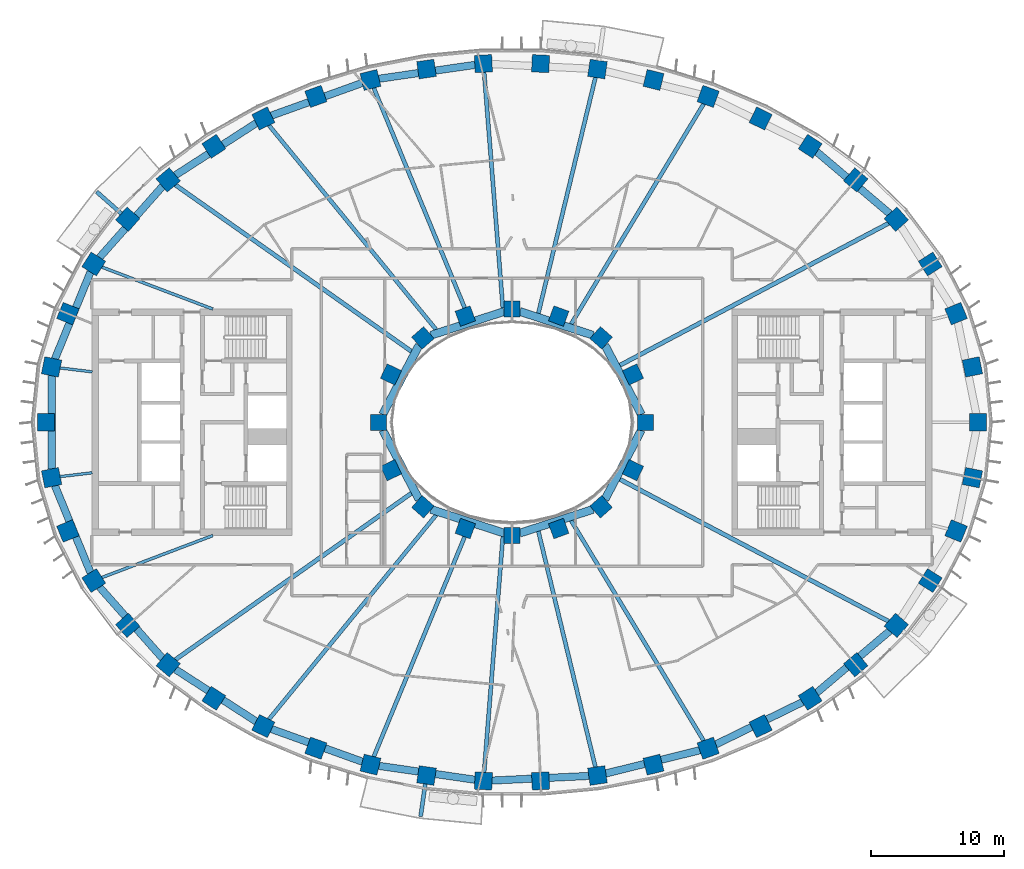
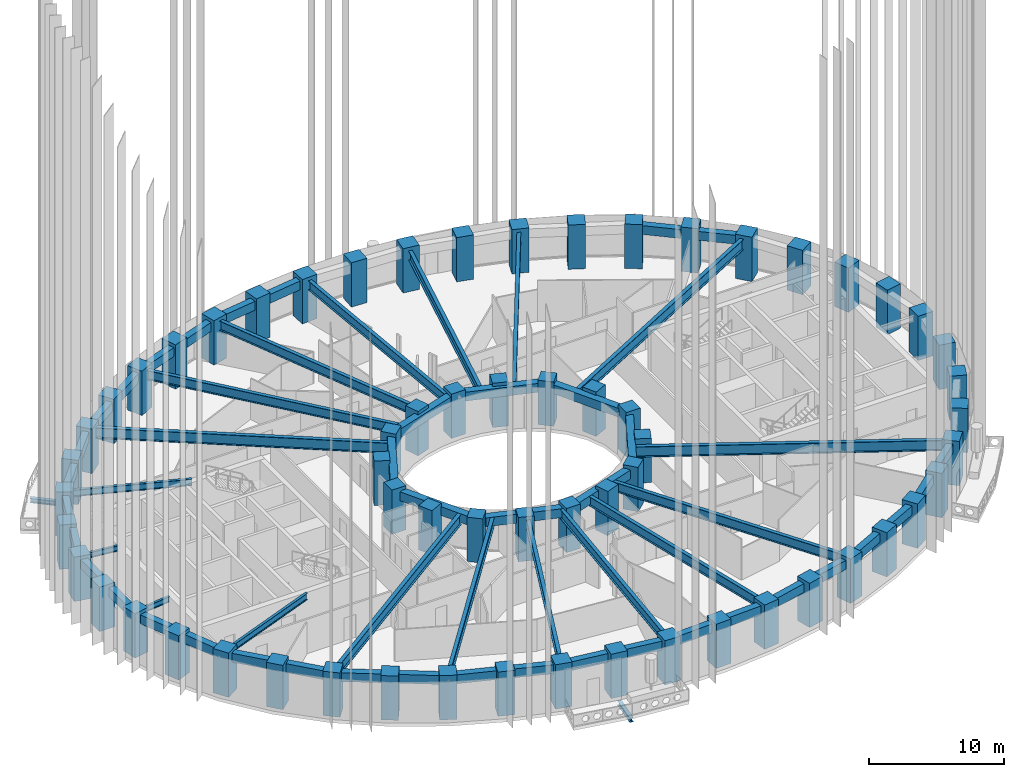
# One storey, part 1 of 20: 62 columns, 44 beams.
"""IFC4 building model written with IfcOpenShell, lengths in metres."""

import ifcopenshell
import ifcopenshell.guid

model = None  # the IFC model being written
_history = None  # IfcOwnerHistory: only IFC2X3 demands one
_inside = {}  # id of a spatial element -> (the spatial element, [elements in it])
_under = {}  # id of a project, library or spatial element -> (it, [spatial elements below it])
_declared = {}  # id of a project -> (the project, [libraries it declares])
_typed = {}  # id of a type object -> (the type object, [elements of that type])
_made_of = {}  # id of a material, layer set ... -> (it, [elements and type objects made of it])


def new_model(schema):
    """Start an empty IFC model of exactly this schema.

    Asked for "IFC4X3", IfcOpenShell would pick the latest addendum, in which some entities
    have other attributes; the version numbers below select the first issue.
    IFC2X3 requires an IfcOwnerHistory on every rooted entity: one is made here for all.
    """
    global model, _history
    if schema == "IFC4X3":
        model = ifcopenshell.file(schema_version=(4, 3, 0, 0))
    else:
        model = ifcopenshell.file(schema=schema)
    _inside.clear()
    _under.clear()
    _declared.clear()
    _typed.clear()
    _made_of.clear()
    _history = None
    if model.schema == "IFC2X3":
        org = make("IfcOrganization", Name="unknown")
        user = make(
            "IfcPersonAndOrganization",
            ThePerson=make("IfcPerson", FamilyName="unknown"),
            TheOrganization=org,
        )
        app = make(
            "IfcApplication",
            ApplicationDeveloper=org,
            Version="unknown",
            ApplicationFullName="unknown",
            ApplicationIdentifier="unknown",
        )
        _history = make(
            "IfcOwnerHistory",
            OwningUser=user,
            OwningApplication=app,
            ChangeAction="ADDED",
            CreationDate=0,
        )
    return model


def make(cls, **values):
    """One entity of the class cls with the attributes given. An attribute that is None is left unset."""
    return model.create_entity(
        cls, **{name: value for name, value in values.items() if value is not None}
    )


def rooted(cls, **values):
    """An entity with a GlobalId (a new one), such as an element, a storey or a relation."""
    return make(cls, GlobalId=ifcopenshell.guid.new(), OwnerHistory=_history, **values)


def si_unit(unit_type, name, prefix=None):
    """IfcSIUnit, for example si_unit("LENGTHUNIT", "METRE", prefix="MILLI")."""
    return make("IfcSIUnit", UnitType=unit_type, Prefix=prefix, Name=name)


def assignment(units):
    """IfcUnitAssignment: the units of a project."""
    return None if units is None else make("IfcUnitAssignment", Units=units)


def point(xyz):
    """IfcCartesianPoint."""
    return None if xyz is None else make("IfcCartesianPoint", Coordinates=xyz)


def direction(xyz):
    """IfcDirection."""
    return None if xyz is None else make("IfcDirection", DirectionRatios=xyz)


def frame(location, z_axis=None, x_axis=None):
    """IfcAxis2Placement3D, a coordinate frame: its origin and axes. An axis left out is left unset."""
    return make(
        "IfcAxis2Placement3D",
        Location=point(location),
        Axis=direction(z_axis),
        RefDirection=direction(x_axis),
    )


def frame_2d(location, x_axis=None):
    """IfcAxis2Placement2D, a coordinate frame in the plane: its origin and x axis."""
    return make(
        "IfcAxis2Placement2D", Location=point(location), RefDirection=direction(x_axis)
    )


def origin():
    """The frame at (0, 0, 0) with its axes left unset."""
    return frame((0.0, 0.0, 0.0))


def origin_2d():
    """The frame at (0, 0) in the plane with its x axis left unset."""
    return frame_2d((0.0, 0.0))


def place(relative_to, where):
    """IfcLocalPlacement: puts the frame where relative to a parent placement (None: the world)."""
    return make(
        "IfcLocalPlacement", PlacementRelTo=relative_to, RelativePlacement=where
    )


def context(
    kind, dimensions, precision=None, world=None, true_north=None, identifier=None
):
    """IfcGeometricRepresentationContext, for example the 3D "Model" context."""
    return make(
        "IfcGeometricRepresentationContext",
        ContextIdentifier=identifier,
        ContextType=kind,
        CoordinateSpaceDimension=dimensions,
        Precision=precision,
        WorldCoordinateSystem=world,
        TrueNorth=true_north,
    )


def subcontext(parent, identifier, kind, view, scale=None):
    """IfcGeometricRepresentationSubContext, for example "Body" below "Model"."""
    return make(
        "IfcGeometricRepresentationSubContext",
        ContextIdentifier=identifier,
        ContextType=kind,
        ParentContext=parent,
        TargetScale=scale,
        TargetView=view,
    )


def project(units=None, contexts=None):
    """IfcProject with its units and contexts."""
    return rooted(
        "IfcProject",
        Name="project",
        RepresentationContexts=contexts,
        UnitsInContext=assignment(units),
    )


def spatial(cls, under=None, at=None, **own):
    """A site, building, storey or space (cls), placed at a placement, below another one or the project."""
    s = rooted(cls, ObjectPlacement=at, **own)
    if under is not None:
        _under.setdefault(under.id(), (under, []))[1].append(s)
    return s


def profile(cls, at=None, kind="AREA", **sizes):
    """A parametric profile (cls). Its sizes go by their IFC names, for example OverallWidth=200.0."""
    return make(cls, ProfileType=kind, Position=at, **sizes)


def rectangle(**sizes):
    """IfcRectangleProfileDef."""
    return profile("IfcRectangleProfileDef", **sizes)


def i_section(**sizes):
    """IfcIShapeProfileDef."""
    return profile("IfcIShapeProfileDef", **sizes)


def extrude(swept, where, along, depth):
    """IfcExtrudedAreaSolid: the profile swept, set in the frame where, extruded along a direction by depth."""
    return make(
        "IfcExtrudedAreaSolid",
        SweptArea=swept,
        Position=where,
        ExtrudedDirection=direction(along),
        Depth=depth,
    )


def shape(context_of_items, identifier, shape_type, items):
    """IfcShapeRepresentation: the items that make up one representation, for example the "Body"."""
    return make(
        "IfcShapeRepresentation",
        ContextOfItems=context_of_items,
        RepresentationIdentifier=identifier,
        RepresentationType=shape_type,
        Items=items,
    )


def material(Name=None, Category=None):
    """IfcMaterial."""
    return make("IfcMaterial", Name=Name, Category=Category)


def material_profile(
    of_material, cross_section, Name=None, Category=None, Priority=None
):
    """IfcMaterialProfile: a cross section and its material."""
    return make(
        "IfcMaterialProfile",
        Name=Name,
        Material=of_material,
        Profile=cross_section,
        Priority=Priority,
        Category=Category,
    )


def profile_set(profiles, Name=None, composite=None):
    """IfcMaterialProfileSet."""
    return make(
        "IfcMaterialProfileSet",
        Name=Name,
        MaterialProfiles=profiles,
        CompositeProfile=composite,
    )


def made_of(thing, what):
    """Note that an element or type object is made of a material, layer set ...; save() writes the relation."""
    if what is not None:
        _made_of.setdefault(what.id(), (what, []))[1].append(thing)
    return thing


def type_object(cls, material=None, **own):
    """A type object (cls), such as IfcWallType, which elements share."""
    return made_of(rooted(cls, **own), material)


def element(
    cls,
    number,
    at=None,
    inside=None,
    cuts=None,
    type_object=None,
    material=None,
    context=None,
    identifier="Body",
    shape_type=None,
    held_by="IfcProductDefinitionShape",
    body=None,
    shapes=None,
    **own,
):
    """One element of the class cls, such as IfcWall. Its Tag is "e" and its number.

    at: its placement. inside: the storey or other place that contains it. cuts: it is an
    opening in that element (IfcRelVoidsElement). A single representation is given by context,
    identifier, shape_type and body (its items); several are given by shapes. held_by: the class
    of the entity that holds the representations. save() writes the other relations.
    """
    e = rooted(cls, Tag="e%d" % number, ObjectPlacement=at, **own)
    if body is not None:
        shapes = [shape(context, identifier, shape_type, body)]
    if shapes is not None:
        e.Representation = make(held_by, Representations=shapes)
    if inside is not None:
        _inside.setdefault(inside.id(), (inside, []))[1].append(e)
    if cuts is not None:
        rooted(
            "IfcRelVoidsElement", RelatingBuildingElement=cuts, RelatedOpeningElement=e
        )
    if type_object is not None:
        _typed.setdefault(type_object.id(), (type_object, []))[1].append(e)
    return made_of(e, material)


def aggregate(whole, parts):
    """IfcRelAggregates: a whole, such as a stair, and the parts it consists of."""
    return rooted("IfcRelAggregates", RelatingObject=whole, RelatedObjects=parts)


def save(model, path):
    """Write the relations noted so far, then the file.

    IfcRelAggregates (storeys below a building ...), IfcRelContainedInSpatialStructure (elements
    in a storey), IfcRelDefinesByType, IfcRelAssociatesMaterial and IfcRelDeclares: one each for
    every whole, place, type object, material and project.
    """
    for whole, parts in _under.values():
        aggregate(whole, parts)
    for where, things in _inside.values():
        rooted(
            "IfcRelContainedInSpatialStructure",
            RelatedElements=things,
            RelatingStructure=where,
        )
    for kind, things in _typed.values():
        rooted("IfcRelDefinesByType", RelatedObjects=things, RelatingType=kind)
    for what, things in _made_of.values():
        rooted("IfcRelAssociatesMaterial", RelatedObjects=things, RelatingMaterial=what)
    for by, libraries in _declared.values():
        rooted("IfcRelDeclares", RelatingContext=by, RelatedDefinitions=libraries)
    model.write(path)


model = new_model("IFC4")

# Units and contexts
model_context = context("Model", 3, precision=1e-05, world=origin(), true_north=direction((0.0, 1.0)))
body_context = subcontext(model_context, "Body", "Model", "MODEL_VIEW")
ifc_project = project(units=[si_unit("LENGTHUNIT", "METRE"), si_unit("AREAUNIT", "SQUARE_METRE"), si_unit("VOLUMEUNIT", "CUBIC_METRE"), si_unit("PLANEANGLEUNIT", "RADIAN"), si_unit("MASSUNIT", "GRAM", prefix="KILO")], contexts=[model_context])

# Site, building, storey
site_placement = place(None, origin())
site = spatial("IfcSite", under=ifc_project, at=site_placement, CompositionType="ELEMENT")
building_placement = place(site_placement, origin())
building = spatial("IfcBuilding", under=site, at=building_placement, Name="Noorbagh Ring Tower", CompositionType="ELEMENT")
storey_placement = place(building_placement, frame((0.0, 0.0, 88.0)))
storey = spatial("IfcBuildingStorey", under=building, at=storey_placement, Name="L19", CompositionType="ELEMENT", Elevation=88.0)

# Columns
ifc_material_1 = material(Name="Concrete C60/75", Category="concrete")
ifc_material_profile_1 = material_profile(ifc_material_1, rectangle(XDim=1.300048828125, YDim=1.300048828125, at=origin_2d()), Name="RC1300x1300")
ifc_profile_set_1 = profile_set([ifc_material_profile_1], Name="Concrete C60/75")
column_type_1 = type_object("IfcColumnType", Name="STR-COL-RC1300x1300-C60-75", PredefinedType="COLUMN", material=ifc_profile_set_1)
for number, where, z_axis, x_axis, name in (
    (1, (34.944580078125, 0.0, 0.0), (0.0, 0.0, 1.0), (0.0, 1.0, 0.0), "L19/col/R1-01"),
    (2, (34.52685546875, 4.150634765625, 0.0), (0.0, 0.0, 1.0), (-0.19723040178, 0.9803571638, 0.0), "L19/col/R1-02"),
    (3, (33.30517578125, 8.1494140625, 0.0), (0.0, 0.0, 1.0), (-0.378989499959, 0.925400971969, 0.0), "L19/col/R1-03"),
    (4, (31.364990234375, 11.87109375, 0.0), (0.0, 0.0, 1.0), (-0.535190403059, 0.844731455833, 0.0), "L19/col/R1-04"),
    (5, (28.81884765625, 15.23046875, 0.0), (0.0, 0.0, 1.0), (-0.662635642662, 0.748941923699, 0.0), "L19/col/R1-05"),
    (6, (25.78271484375, 18.180419921875, 0.0), (0.0, 0.0, 1.0), (-0.763035199656, 0.646356932419, 0.0), "L19/col/R1-06"),
    (7, (22.362060546875, 20.699951171875, 0.0), (0.0, 0.0, 1.0), (-0.840247639643, 0.542202825586, 0.0), "L19/col/R1-07"),
    (8, (18.646240234375, 22.785400390625, 0.0), (0.0, 0.0, 1.0), (-0.898399080868, 0.439180021741, 0.0), "L19/col/R1-08"),
    (9, (14.70947265625, 24.44091796875, 0.0), (0.0, 0.0, 1.0), (-0.941024726094, 0.338337797003, 0.0), "L19/col/R1-09"),
    (10, (10.61328125, 25.673583984375, 0.0), (0.0, 0.0, 1.0), (-0.970829360981, 0.239771457553, 0.0), "L19/col/R1-10"),
    (11, (6.4091796875, 26.49072265625, 0.0), (0.0, 0.0, 1.0), (-0.989713114048, 0.143066249975, 0.0), "L19/col/R1-11"),
    (12, (2.14306640625, 26.89794921875, 0.0), (0.0, 0.0, 1.0), (-0.998868731212, 0.047552684538, 0.0), "L19/col/R1-12"),
    (13, (-2.14306640625, 26.89794921875, 0.0), (0.0, 0.0, 1.0), (-0.998868731212, -0.047552684538, 0.0), "L19/col/R1-13"),
    (14, (-6.4091796875, 26.49072265625, 0.0), (0.0, 0.0, 1.0), (-0.989713114048, -0.143066249975, 0.0), "L19/col/R1-14"),
    (15, (-10.61328125, 25.673583984375, 0.0), (0.0, 0.0, 1.0), (-0.970829360981, -0.239771457553, 0.0), "L19/col/R1-15"),
    (16, (-14.70947265625, 24.44091796875, 0.0), (0.0, 0.0, 1.0), (-0.941024726094, -0.338337797003, 0.0), "L19/col/R1-16"),
    (17, (-18.646240234375, 22.785400390625, 0.0), (0.0, 0.0, 1.0), (-0.898399080868, -0.439180021741, 0.0), "L19/col/R1-17"),
    (18, (-22.362060546875, 20.699951171875, 0.0), (0.0, 0.0, 1.0), (-0.840247639643, -0.542202825586, 0.0), "L19/col/R1-18"),
    (19, (-25.78271484375, 18.180419921875, 0.0), (0.0, 0.0, 1.0), (-0.763035199656, -0.646356932419, 0.0), "L19/col/R1-19"),
    (20, (-28.81884765625, 15.23046875, 0.0), (0.0, 0.0, 1.0), (-0.662635642662, -0.748941923699, 0.0), "L19/col/R1-20"),
    (21, (-31.364990234375, 11.87109375, 0.0), (0.0, 0.0, 1.0), (-0.535190403059, -0.844731455833, 0.0), "L19/col/R1-21"),
    (22, (-33.30517578125, 8.1494140625, 0.0), (0.0, 0.0, 1.0), (-0.378989499959, -0.925400971969, 0.0), "L19/col/R1-22"),
    (23, (-34.52685546875, 4.150634765625, 0.0), (0.0, 0.0, 1.0), (-0.19723040178, -0.9803571638, 0.0), "L19/col/R1-23"),
    (24, (-34.944580078125, 0.0, 0.0), (0.0, 0.0, 1.0), (0.0, -1.0, 0.0), "L19/col/R1-24"),
    (25, (-34.52685546875, -4.150634765625, 0.0), (0.0, 0.0, 1.0), (0.19723040178, -0.9803571638, 0.0), "L19/col/R1-25"),
    (26, (-33.30517578125, -8.1494140625, 0.0), (0.0, 0.0, 1.0), (0.378989499959, -0.925400971969, 0.0), "L19/col/R1-26"),
    (27, (-31.364990234375, -11.87109375, 0.0), (0.0, 0.0, 1.0), (0.535190403059, -0.844731455833, 0.0), "L19/col/R1-27"),
    (28, (-28.81884765625, -15.23046875, 0.0), (0.0, 0.0, 1.0), (0.662635642662, -0.748941923699, 0.0), "L19/col/R1-28"),
    (29, (-25.78271484375, -18.180419921875, 0.0), (0.0, 0.0, 1.0), (0.763035199656, -0.646356932419, 0.0), "L19/col/R1-29"),
    (30, (-22.362060546875, -20.699951171875, 0.0), (0.0, 0.0, 1.0), (0.840247639643, -0.542202825586, 0.0), "L19/col/R1-30"),
    (31, (-18.646240234375, -22.785400390625, 0.0), (0.0, 0.0, 1.0), (0.898399080868, -0.439180021741, 0.0), "L19/col/R1-31"),
    (32, (-14.70947265625, -24.44091796875, 0.0), (0.0, 0.0, 1.0), (0.941024726094, -0.338337797003, 0.0), "L19/col/R1-32"),
    (33, (-10.61328125, -25.673583984375, 0.0), (0.0, 0.0, 1.0), (0.970829360981, -0.239771457553, 0.0), "L19/col/R1-33"),
    (34, (-6.4091796875, -26.49072265625, 0.0), (0.0, 0.0, 1.0), (0.989713114048, -0.143066249975, 0.0), "L19/col/R1-34"),
    (35, (-2.14306640625, -26.89794921875, 0.0), (0.0, 0.0, 1.0), (0.998868731212, -0.047552684538, 0.0), "L19/col/R1-35"),
    (36, (2.14306640625, -26.89794921875, 0.0), (0.0, 0.0, 1.0), (0.998868731212, 0.047552684538, 0.0), "L19/col/R1-36"),
    (37, (6.4091796875, -26.49072265625, 0.0), (0.0, 0.0, 1.0), (0.989713114048, 0.143066249975, 0.0), "L19/col/R1-37"),
    (38, (10.61328125, -25.673583984375, 0.0), (0.0, 0.0, 1.0), (0.970829360981, 0.239771457553, 0.0), "L19/col/R1-38"),
    (39, (14.70947265625, -24.44091796875, 0.0), (0.0, 0.0, 1.0), (0.941024726094, 0.338337797003, 0.0), "L19/col/R1-39"),
    (40, (18.646240234375, -22.785400390625, 0.0), (0.0, 0.0, 1.0), (0.898399080868, 0.439180021741, 0.0), "L19/col/R1-40"),
    (41, (22.362060546875, -20.699951171875, 0.0), (0.0, 0.0, 1.0), (0.840247639643, 0.542202825586, 0.0), "L19/col/R1-41"),
    (42, (25.78271484375, -18.180419921875, 0.0), (0.0, 0.0, 1.0), (0.763035199656, 0.646356932419, 0.0), "L19/col/R1-42"),
    (43, (28.81884765625, -15.23046875, 0.0), (0.0, 0.0, 1.0), (0.662635642662, 0.748941923699, 0.0), "L19/col/R1-43"),
    (44, (31.364990234375, -11.87109375, 0.0), (0.0, 0.0, 1.0), (0.535190403059, 0.844731455833, 0.0), "L19/col/R1-44"),
    (45, (33.30517578125, -8.1494140625, 0.0), (0.0, 0.0, 1.0), (0.378989499959, 0.925400971969, 0.0), "L19/col/R1-45"),
    (46, (34.52685546875, -4.150634765625, 0.0), (0.0, 0.0, 1.0), (0.19723040178, 0.9803571638, 0.0), "L19/col/R1-46"),
):
    element("IfcColumn", number, at=place(storey_placement, frame(where, z_axis=z_axis, x_axis=x_axis)), inside=storey, type_object=column_type_1, Name=name, PredefinedType="COLUMN", context=body_context, shape_type="SweptSolid", body=[
        extrude(rectangle(XDim=1.300048828125, YDim=1.300048828125, at=origin_2d()), origin(), (0.0, 0.0, 1.0), 4.0),
    ])
ifc_material_2 = material(Name="Concrete C60/75", Category="concrete")
ifc_material_profile_2 = material_profile(ifc_material_2, rectangle(XDim=1.199951171875, YDim=1.199951171875, at=origin_2d()), Name="RC1200x1200")
ifc_profile_set_2 = profile_set([ifc_material_profile_2], Name="Concrete C60/75")
column_type_2 = type_object("IfcColumnType", Name="STR-ICOL-RC1200x1200-C60-75", PredefinedType="COLUMN", material=ifc_profile_set_2)
for number, where, z_axis, x_axis, name in (
    (47, (10.00830078125, 0.0, 0.0), (0.0, 0.0, 1.0), (0.0, 1.0, 0.0), "L19/col/IR2-W01"),
    (48, (9.07568359375, 3.58837890625, 0.0), (0.0, 0.0, 1.0), (-0.428666979171, 0.903462573087, 0.0), "L19/col/IR2-W03"),
    (49, (6.68212890625, 6.333740234375, 0.0), (0.0, 0.0, 1.0), (-0.75102249095, 0.660276622399, 0.0), "L19/col/IR2-W05"),
    (50, (3.5009765625, 7.967041015625, 0.0), (0.0, 0.0, 1.0), (-0.939019578916, 0.343863679984, 0.0), "L19/col/IR2-W07"),
    (51, (0.0, 8.5029296875, 0.0), (0.0, 0.0, 1.0), (-1.0, 0.0, 0.0), "L19/col/IR2-W09"),
    (52, (-3.5009765625, 7.967041015625, 0.0), (0.0, 0.0, 1.0), (-0.939019578916, -0.343863679984, 0.0), "L19/col/IR2-W11"),
    (53, (-6.68212890625, 6.333740234375, 0.0), (0.0, 0.0, 1.0), (-0.75102249095, -0.660276622399, 0.0), "L19/col/IR2-W13"),
    (54, (-9.07568359375, 3.58837890625, 0.0), (0.0, 0.0, 1.0), (-0.428666979171, -0.903462573087, 0.0), "L19/col/IR2-W15"),
    (55, (-10.00830078125, 0.0, 0.0), (0.0, 0.0, 1.0), (0.0, -1.0, 0.0), "L19/col/IR2-W17"),
    (56, (-9.07568359375, -3.58837890625, 0.0), (0.0, 0.0, 1.0), (0.428666979171, -0.903462573087, 0.0), "L19/col/IR2-W19"),
    (57, (-6.68212890625, -6.333740234375, 0.0), (0.0, 0.0, 1.0), (0.75102249095, -0.660276622399, 0.0), "L19/col/IR2-W21"),
    (58, (-3.5009765625, -7.967041015625, 0.0), (0.0, 0.0, 1.0), (0.939019578916, -0.343863679984, 0.0), "L19/col/IR2-W23"),
    (59, (0.0, -8.5029296875, 0.0), (0.0, 0.0, 1.0), (1.0, 0.0, 0.0), "L19/col/IR2-W25"),
    (60, (3.5009765625, -7.967041015625, 0.0), (0.0, 0.0, 1.0), (0.939019578916, 0.343863679984, 0.0), "L19/col/IR2-W27"),
    (61, (6.68212890625, -6.333740234375, 0.0), (0.0, 0.0, 1.0), (0.75102249095, 0.660276622399, 0.0), "L19/col/IR2-W29"),
    (62, (9.07568359375, -3.58837890625, 0.0), (0.0, 0.0, 1.0), (0.428666979171, 0.903462573087, 0.0), "L19/col/IR2-W31"),
):
    element("IfcColumn", number, at=place(storey_placement, frame(where, z_axis=z_axis, x_axis=x_axis)), inside=storey, type_object=column_type_2, Name=name, PredefinedType="COLUMN", context=body_context, shape_type="SweptSolid", body=[
        extrude(rectangle(XDim=1.199951171875, YDim=1.199951171875, at=origin_2d()), origin(), (0.0, 0.0, 1.0), 4.0),
    ])

# Beams
ifc_material_3 = material(Name="Steel S355", Category="steel")
ifc_material_profile_3 = material_profile(ifc_material_3, i_section(OverallWidth=0.300048828125, OverallDepth=0.39990234375, WebThickness=0.013427734375, FlangeThickness=0.02392578125, FilletRadius=0.027099609375, at=origin_2d()), Name="HEB400")
ifc_profile_set_3 = profile_set([ifc_material_profile_3], Name="Steel S355")
beam_type_1 = type_object("IfcBeamType", Name="STR-BALCONY-BRACKET-HEB400", PredefinedType="BEAM", material=ifc_profile_set_3)
beam_1_placement = place(storey_placement, frame((-29.290771484375, 15.64794921875, -0.5), z_axis=(-0.749058582827, 0.662503765645, 0.0), x_axis=(-0.662503765645, -0.749058582827, 0.0)))
element("IfcBeam", 63, at=beam_1_placement, inside=storey, type_object=beam_type_1, Name="Balcony bracket beam BN06", PredefinedType="BEAM", context=body_context, shape_type="SweptSolid", body=[
    extrude(i_section(OverallWidth=0.300048828125, OverallDepth=0.39990234375, WebThickness=0.013427734375, FlangeThickness=0.02392578125, FilletRadius=0.027099609375, at=origin_2d()), origin(), (0.0, 0.0, 1.0), 2.479248046875),
])
beam_2_placement = place(storey_placement, frame((-6.49951171875, -27.1142578125, -0.5), z_axis=(-0.14299620794, -0.989723236322, 0.0), x_axis=(0.989723236322, -0.14299620794, 0.0)))
element("IfcBeam", 64, at=beam_2_placement, inside=storey, type_object=beam_type_1, Name="Balcony bracket beam BS03", PredefinedType="BEAM", context=body_context, shape_type="SweptSolid", body=[
    extrude(i_section(OverallWidth=0.300048828125, OverallDepth=0.39990234375, WebThickness=0.013427734375, FlangeThickness=0.02392578125, FilletRadius=0.027099609375, at=origin_2d()), origin(), (0.0, 0.0, 1.0), 2.473876953125),
])
ifc_material_4 = material(Name="Steel S355", Category="steel")
ifc_material_profile_4 = material_profile(ifc_material_4, i_section(OverallWidth=0.199951171875, OverallDepth=0.5, WebThickness=0.01025390625, FlangeThickness=0.01611328125, FilletRadius=0.02099609375, at=origin_2d()), Name="IPE500")
ifc_profile_set_4 = profile_set([ifc_material_profile_4], Name="Steel S355")
beam_type_2 = type_object("IfcBeamType", Name="STR-RAD-IPE500", PredefinedType="BEAM", material=ifc_profile_set_4)
for number, where, z_axis, x_axis, name in (
    (65, (-33.899169921875, 4.0751953125, 3.449951171875), (0.992852635549, -0.119346738892, 0.0), (0.119346738892, 0.992852635549, 0.0), "L19/bm/RD23"),
    (66, (-33.899169921875, -4.0751953125, 3.449951171875), (0.992852635549, 0.119346738892, 0.0), (-0.119346738892, 0.992852635549, 0.0), "L19/bm/RD25"),
):
    element("IfcBeam", number, at=place(storey_placement, frame(where, z_axis=z_axis, x_axis=x_axis)), inside=storey, type_object=beam_type_2, Name=name, PredefinedType="BEAM", context=body_context, shape_type="SweptSolid", body=[
        extrude(i_section(OverallWidth=0.199951171875, OverallDepth=0.5, WebThickness=0.01025390625, FlangeThickness=0.01611328125, FilletRadius=0.02099609375, at=origin_2d()), origin(), (0.0, 0.0, 1.0), 2.436279296875),
    ])
ifc_material_5 = material(Name="Steel S355", Category="steel")
ifc_material_profile_5 = material_profile(ifc_material_5, i_section(OverallWidth=0.219970703125, OverallDepth=0.60009765625, WebThickness=0.011962890625, FlangeThickness=0.01904296875, FilletRadius=0.02392578125, at=origin_2d()), Name="IPE600")
ifc_profile_set_5 = profile_set([ifc_material_profile_5], Name="Steel S355")
beam_type_3 = type_object("IfcBeamType", Name="STR-RAD-IPE600", PredefinedType="BEAM", material=ifc_profile_set_5)
for number, where, z_axis, x_axis, name in (
    (67, (-30.762939453125, 11.64306640625, 3.39990234375), (0.935256068659, -0.353971871815, 0.0), (0.353971871815, 0.935256068659, 0.0), "L19/bm/RD21"),
    (68, (-30.762939453125, -11.64306640625, 3.39990234375), (0.935256068659, 0.353971871815, 0.0), (-0.353971871815, 0.935256068659, 0.0), "L19/bm/RD27"),
):
    element("IfcBeam", number, at=place(storey_placement, frame(where, z_axis=z_axis, x_axis=x_axis)), inside=storey, type_object=beam_type_3, Name=name, PredefinedType="BEAM", context=body_context, shape_type="SweptSolid", body=[
        extrude(i_section(OverallWidth=0.219970703125, OverallDepth=0.60009765625, WebThickness=0.011962890625, FlangeThickness=0.01904296875, FilletRadius=0.02392578125, at=origin_2d()), origin(), (0.0, 0.0, 1.0), 8.8994140625),
    ])
ifc_material_6 = material(Name="Steel S355", Category="steel")
ifc_material_profile_6 = material_profile(ifc_material_6, i_section(OverallWidth=0.300048828125, OverallDepth=0.85009765625, WebThickness=0.013916015625, FlangeThickness=0.028076171875, at=origin_2d()), Name="PG850x300x14x28")
ifc_profile_set_6 = profile_set([ifc_material_profile_6], Name="Steel S355")
beam_type_4 = type_object("IfcBeamType", Name="STR-RAD-PG850x300x14x28", PredefinedType="BEAM", material=ifc_profile_set_6)
beam_3_placement = place(storey_placement, frame((14.378173828125, 23.89013671875, 3.27490234375), z_axis=(-0.515660214946, -0.85679317383, 0.0), x_axis=(0.85679317383, -0.515660214946, 0.0)))
element("IfcBeam", 69, at=beam_3_placement, inside=storey, type_object=beam_type_4, Name="L19/bm/RD09", PredefinedType="BEAM", context=body_context, shape_type="SweptSolid", body=[
    extrude(i_section(OverallWidth=0.300048828125, OverallDepth=0.85009765625, WebThickness=0.013916015625, FlangeThickness=0.028076171875, at=origin_2d()), origin(), (0.0, 0.0, 1.0), 19.293212890625),
])
beam_4_placement = place(storey_placement, frame((6.260498046875, 25.875732421875, 3.27490234375), z_axis=(-0.235164579981, -0.971955564994, 0.0), x_axis=(0.971955564994, -0.235164579981, 0.0)))
element("IfcBeam", 70, at=beam_4_placement, inside=storey, type_object=beam_type_4, Name="L19/bm/RD11", PredefinedType="BEAM", context=body_context, shape_type="SweptSolid", body=[
    extrude(i_section(OverallWidth=0.300048828125, OverallDepth=0.85009765625, WebThickness=0.013916015625, FlangeThickness=0.028076171875, at=origin_2d()), origin(), (0.0, 0.0, 1.0), 18.230224609375),
])
beam_5_placement = place(storey_placement, frame((-2.093017578125, 26.26953125, 3.27490234375), z_axis=(0.079419392273, -0.996841291345, 0.0), x_axis=(0.996841291345, 0.079419392273, 0.0)))
element("IfcBeam", 71, at=beam_5_placement, inside=storey, type_object=beam_type_4, Name="L19/bm/RD13", PredefinedType="BEAM", context=body_context, shape_type="SweptSolid", body=[
    extrude(i_section(OverallWidth=0.300048828125, OverallDepth=0.85009765625, WebThickness=0.013916015625, FlangeThickness=0.028076171875, at=origin_2d()), origin(), (0.0, 0.0, 1.0), 17.749755859375),
])
beam_6_placement = place(storey_placement, frame((-10.36962890625, 25.084716796875, 3.27490234375), z_axis=(0.38202515603, -0.924151924826, 0.0), x_axis=(0.924151924826, 0.38202515603, 0.0)))
element("IfcBeam", 72, at=beam_6_placement, inside=storey, type_object=beam_type_4, Name="L19/bm/RD15", PredefinedType="BEAM", context=body_context, shape_type="SweptSolid", body=[
    extrude(i_section(OverallWidth=0.300048828125, OverallDepth=0.85009765625, WebThickness=0.013916015625, FlangeThickness=0.028076171875, at=origin_2d()), origin(), (0.0, 0.0, 1.0), 18.750244140625),
])
for number, where, z_axis, x_axis, name in (
    (73, (-18.236083984375, 22.2841796875, 3.27490234375), (0.6333069067, -0.773900744234, 0.0), (0.773900744234, 0.6333069067, 0.0), "L19/bm/RD17"),
    (74, (-18.236083984375, -22.2841796875, 3.27490234375), (0.6333069067, 0.773900744234, 0.0), (-0.773900744234, 0.6333069067, 0.0), "L19/bm/RD31"),
):
    element("IfcBeam", number, at=place(storey_placement, frame(where, z_axis=z_axis, x_axis=x_axis)), inside=storey, type_object=beam_type_4, Name=name, PredefinedType="BEAM", context=body_context, shape_type="SweptSolid", body=[
        extrude(i_section(OverallWidth=0.300048828125, OverallDepth=0.85009765625, WebThickness=0.013916015625, FlangeThickness=0.028076171875, at=origin_2d()), origin(), (0.0, 0.0, 1.0), 19.811767578125),
    ])
beam_7_placement = place(storey_placement, frame((-10.36962890625, -25.084716796875, 3.27490234375), z_axis=(0.38202515603, 0.924151924826, 0.0), x_axis=(-0.924151924826, 0.38202515603, 0.0)))
element("IfcBeam", 75, at=beam_7_placement, inside=storey, type_object=beam_type_4, Name="L19/bm/RD33", PredefinedType="BEAM", context=body_context, shape_type="SweptSolid", body=[
    extrude(i_section(OverallWidth=0.300048828125, OverallDepth=0.85009765625, WebThickness=0.013916015625, FlangeThickness=0.028076171875, at=origin_2d()), origin(), (0.0, 0.0, 1.0), 18.750244140625),
])
beam_8_placement = place(storey_placement, frame((-2.093017578125, -26.26953125, 3.27490234375), z_axis=(0.079419392273, 0.996841291345, 0.0), x_axis=(-0.996841291345, 0.079419392273, 0.0)))
element("IfcBeam", 76, at=beam_8_placement, inside=storey, type_object=beam_type_4, Name="L19/bm/RD35", PredefinedType="BEAM", context=body_context, shape_type="SweptSolid", body=[
    extrude(i_section(OverallWidth=0.300048828125, OverallDepth=0.85009765625, WebThickness=0.013916015625, FlangeThickness=0.028076171875, at=origin_2d()), origin(), (0.0, 0.0, 1.0), 17.749755859375),
])
beam_9_placement = place(storey_placement, frame((6.260498046875, -25.875732421875, 3.27490234375), z_axis=(-0.235164579981, 0.971955564994, 0.0), x_axis=(-0.971955564994, -0.235164579981, 0.0)))
element("IfcBeam", 77, at=beam_9_placement, inside=storey, type_object=beam_type_4, Name="L19/bm/RD37", PredefinedType="BEAM", context=body_context, shape_type="SweptSolid", body=[
    extrude(i_section(OverallWidth=0.300048828125, OverallDepth=0.85009765625, WebThickness=0.013916015625, FlangeThickness=0.028076171875, at=origin_2d()), origin(), (0.0, 0.0, 1.0), 18.230224609375),
])
beam_10_placement = place(storey_placement, frame((14.378173828125, -23.89013671875, 3.27490234375), z_axis=(-0.515660214946, 0.85679317383, 0.0), x_axis=(-0.85679317383, -0.515660214946, 0.0)))
element("IfcBeam", 78, at=beam_10_placement, inside=storey, type_object=beam_type_4, Name="L19/bm/RD39", PredefinedType="BEAM", context=body_context, shape_type="SweptSolid", body=[
    extrude(i_section(OverallWidth=0.300048828125, OverallDepth=0.85009765625, WebThickness=0.013916015625, FlangeThickness=0.028076171875, at=origin_2d()), origin(), (0.0, 0.0, 1.0), 19.293212890625),
])
ifc_material_7 = material(Name="Steel S355", Category="steel")
ifc_material_profile_7 = material_profile(ifc_material_7, i_section(OverallWidth=0.320068359375, OverallDepth=0.949951171875, WebThickness=0.01611328125, FlangeThickness=0.030029296875, at=origin_2d()), Name="PG950x320x16x30")
ifc_profile_set_7 = profile_set([ifc_material_profile_7], Name="Steel S355")
beam_type_5 = type_object("IfcBeamType", Name="STR-RAD-PG950x320x16x30", PredefinedType="BEAM", material=ifc_profile_set_7)
beam_11_placement = place(storey_placement, frame((28.2451171875, 14.92724609375, 3.22509765625), z_axis=(-0.8841222966, -0.467255566746, 0.0), x_axis=(0.467255566746, -0.8841222966, 0.0)))
element("IfcBeam", 79, at=beam_11_placement, inside=storey, type_object=beam_type_5, Name="L19/bm/RD05", PredefinedType="BEAM", context=body_context, shape_type="SweptSolid", body=[
    extrude(i_section(OverallWidth=0.320068359375, OverallDepth=0.949951171875, WebThickness=0.01611328125, FlangeThickness=0.030029296875, at=origin_2d()), origin(), (0.0, 0.0, 1.0), 22.80615234375),
])
for number, where, z_axis, x_axis, name in (
    (80, (-25.250244140625, 17.804931640625, 3.22509765625), (0.817253985622, -0.57627764401, 0.0), (0.57627764401, 0.817253985622, 0.0), "L19/bm/RD19"),
    (81, (-25.250244140625, -17.804931640625, 3.22509765625), (0.817253985622, 0.57627764401, 0.0), (-0.57627764401, 0.817253985622, 0.0), "L19/bm/RD29"),
):
    element("IfcBeam", number, at=place(storey_placement, frame(where, z_axis=z_axis, x_axis=x_axis)), inside=storey, type_object=beam_type_5, Name=name, PredefinedType="BEAM", context=body_context, shape_type="SweptSolid", body=[
        extrude(i_section(OverallWidth=0.320068359375, OverallDepth=0.949951171875, WebThickness=0.01611328125, FlangeThickness=0.030029296875, at=origin_2d()), origin(), (0.0, 0.0, 1.0), 21.677001953125),
    ])
beam_12_placement = place(storey_placement, frame((28.2451171875, -14.92724609375, 3.22509765625), z_axis=(-0.8841222966, 0.467255566746, 0.0), x_axis=(-0.467255566746, -0.8841222966, 0.0)))
element("IfcBeam", 82, at=beam_12_placement, inside=storey, type_object=beam_type_5, Name="L19/bm/RD43", PredefinedType="BEAM", context=body_context, shape_type="SweptSolid", body=[
    extrude(i_section(OverallWidth=0.320068359375, OverallDepth=0.949951171875, WebThickness=0.01611328125, FlangeThickness=0.030029296875, at=origin_2d()), origin(), (0.0, 0.0, 1.0), 22.80615234375),
])
ifc_material_8 = material(Name="Concrete C40/50", Category="concrete")
ifc_material_profile_8 = material_profile(ifc_material_8, rectangle(XDim=0.60009765625, YDim=0.800048828125, at=origin_2d()), Name="RC600x800")
ifc_profile_set_8 = profile_set([ifc_material_profile_8], Name="Concrete C40/50")
beam_type_6 = type_object("IfcBeamType", Name="STR-RB-RC600x800-C40-50", PredefinedType="BEAM", material=ifc_profile_set_8)
beam_13_placement = place(storey_placement, frame((9.70263671875, 0.582275390625, 3.300048828125), z_axis=(-0.464930830504, 0.885347007024, 0.0), x_axis=(-0.885347007024, -0.464930830504, 0.0)))
element("IfcBeam", 83, at=beam_13_placement, inside=storey, type_object=beam_type_6, Name="L19/bm/RG01", PredefinedType="BEAM", context=body_context, shape_type="SweptSolid", body=[
    extrude(rectangle(XDim=0.60009765625, YDim=0.800048828125, at=origin_2d()), origin(), (0.0, 0.0, 1.0), 5.873779296875),
])
for number, where, z_axis, x_axis, name in (
    (84, (6.07958984375, 6.529296875, 3.300048828125), (-0.951141392906, 0.308755648856, 0.0), (-0.308755648856, -0.951141392906, 0.0), "L19/bm/RG03"),
    (85, (-0.5810546875, 8.314208984375, 3.300048828125), (-0.951141392906, -0.308755648856, 0.0), (0.308755648856, -0.951141392906, 0.0), "L19/bm/RG05"),
):
    element("IfcBeam", number, at=place(storey_placement, frame(where, z_axis=z_axis, x_axis=x_axis)), inside=storey, type_object=beam_type_6, Name=name, PredefinedType="BEAM", context=body_context, shape_type="SweptSolid", body=[
        extrude(rectangle(XDim=0.60009765625, YDim=0.800048828125, at=origin_2d()), origin(), (0.0, 0.0, 1.0), 5.781005859375),
    ])
for number, where, z_axis, x_axis, name in (
    (86, (-6.9716796875, 5.78271484375, 3.300048828125), (-0.464930830504, -0.885347007024, 0.0), (0.885347007024, -0.464930830504, 0.0), "L19/bm/RG07"),
    (87, (-9.70263671875, -0.582275390625, 3.300048828125), (0.464930830504, -0.885347007024, 0.0), (0.885347007024, 0.464930830504, 0.0), "L19/bm/RG09"),
):
    element("IfcBeam", number, at=place(storey_placement, frame(where, z_axis=z_axis, x_axis=x_axis)), inside=storey, type_object=beam_type_6, Name=name, PredefinedType="BEAM", context=body_context, shape_type="SweptSolid", body=[
        extrude(rectangle(XDim=0.60009765625, YDim=0.800048828125, at=origin_2d()), origin(), (0.0, 0.0, 1.0), 5.873779296875),
    ])
for number, where, z_axis, x_axis, name in (
    (88, (-6.07958984375, -6.529296875, 3.300048828125), (0.951141392906, -0.308755648856, 0.0), (0.308755648856, 0.951141392906, 0.0), "L19/bm/RG11"),
    (89, (0.5810546875, -8.314208984375, 3.300048828125), (0.951141392906, 0.308755648856, 0.0), (-0.308755648856, 0.951141392906, 0.0), "L19/bm/RG13"),
):
    element("IfcBeam", number, at=place(storey_placement, frame(where, z_axis=z_axis, x_axis=x_axis)), inside=storey, type_object=beam_type_6, Name=name, PredefinedType="BEAM", context=body_context, shape_type="SweptSolid", body=[
        extrude(rectangle(XDim=0.60009765625, YDim=0.800048828125, at=origin_2d()), origin(), (0.0, 0.0, 1.0), 5.781005859375),
    ])
beam_14_placement = place(storey_placement, frame((6.9716796875, -5.78271484375, 3.300048828125), z_axis=(0.464930830504, 0.885347007024, 0.0), x_axis=(-0.885347007024, 0.464930830504, 0.0)))
element("IfcBeam", 90, at=beam_14_placement, inside=storey, type_object=beam_type_6, Name="L19/bm/RG15", PredefinedType="BEAM", context=body_context, shape_type="SweptSolid", body=[
    extrude(rectangle(XDim=0.60009765625, YDim=0.800048828125, at=origin_2d()), origin(), (0.0, 0.0, 1.0), 5.873779296875),
])
ifc_material_9 = material(Name="Concrete C40/50", Category="concrete")
ifc_material_profile_9 = material_profile(ifc_material_9, rectangle(XDim=0.550048828125, YDim=0.800048828125, at=origin_2d()), Name="RC550x800")
ifc_profile_set_9 = profile_set([ifc_material_profile_9], Name="Concrete C40/50")
beam_type_7 = type_object("IfcBeamType", Name="STR-SB-RC550x800-C40-50", PredefinedType="BEAM", material=ifc_profile_set_9)
beam_15_placement = place(storey_placement, frame((28.3330078125, 15.64208984375, 3.300048828125), z_axis=(-0.76303325952, 0.646359222775, 0.0), x_axis=(-0.646359222775, -0.76303325952, 0.0)))
element("IfcBeam", 91, at=beam_15_placement, inside=storey, type_object=beam_type_7, Name="L19/bm/SP05", PredefinedType="BEAM", context=body_context, shape_type="SweptSolid", body=[
    extrude(rectangle(XDim=0.550048828125, YDim=0.800048828125, at=origin_2d()), origin(), (0.0, 0.0, 1.0), 7.18994140625),
])
beam_16_placement = place(storey_placement, frame((-2.769775390625, 26.807373046875, 3.300048828125), z_axis=(-0.989713086327, -0.143066441741, 0.0), x_axis=(0.143066441741, -0.989713086327, 0.0)))
element("IfcBeam", 92, at=beam_16_placement, inside=storey, type_object=beam_type_7, Name="L19/bm/SP13", PredefinedType="BEAM", context=body_context, shape_type="SweptSolid", body=[
    extrude(rectangle(XDim=0.550048828125, YDim=0.800048828125, at=origin_2d()), origin(), (0.0, 0.0, 1.0), 7.291748046875),
])
beam_17_placement = place(storey_placement, frame((-11.209228515625, 25.459228515625, 3.300048828125), z_axis=(-0.941024767496, -0.33833768185, 0.0), x_axis=(0.33833768185, -0.941024767496, 0.0)))
element("IfcBeam", 93, at=beam_17_placement, inside=storey, type_object=beam_type_7, Name="L19/bm/SP15", PredefinedType="BEAM", context=body_context, shape_type="SweptSolid", body=[
    extrude(rectangle(XDim=0.550048828125, YDim=0.800048828125, at=origin_2d()), origin(), (0.0, 0.0, 1.0), 7.269287109375),
])
beam_18_placement = place(storey_placement, frame((-19.179443359375, 22.44140625, 3.300048828125), z_axis=(-0.840245983135, -0.542205392657, 0.0), x_axis=(0.542205392657, -0.840245983135, 0.0)))
element("IfcBeam", 94, at=beam_18_placement, inside=storey, type_object=beam_type_7, Name="L19/bm/SP17", PredefinedType="BEAM", context=body_context, shape_type="SweptSolid", body=[
    extrude(rectangle(XDim=0.550048828125, YDim=0.800048828125, at=origin_2d()), origin(), (0.0, 0.0, 1.0), 7.223388671875),
])
beam_19_placement = place(storey_placement, frame((-26.20458984375, 17.703369140625, 3.300048828125), z_axis=(-0.662640932003, -0.748937243855, 0.0), x_axis=(0.748937243855, -0.662640932003, 0.0)))
element("IfcBeam", 95, at=beam_19_placement, inside=storey, type_object=beam_type_7, Name="L19/bm/SP19", PredefinedType="BEAM", context=body_context, shape_type="SweptSolid", body=[
    extrude(rectangle(XDim=0.550048828125, YDim=0.800048828125, at=origin_2d()), origin(), (0.0, 0.0, 1.0), 7.149169921875),
])
beam_20_placement = place(storey_placement, frame((-31.607666015625, 11.278564453125, 3.300048828125), z_axis=(-0.378973457999, -0.925407541644, 0.0), x_axis=(0.925407541644, -0.378973457999, 0.0)))
element("IfcBeam", 96, at=beam_20_placement, inside=storey, type_object=beam_type_7, Name="L19/bm/SP21", PredefinedType="BEAM", context=body_context, shape_type="SweptSolid", body=[
    extrude(rectangle(XDim=0.550048828125, YDim=0.800048828125, at=origin_2d()), origin(), (0.0, 0.0, 1.0), 7.060546875),
])
beam_21_placement = place(storey_placement, frame((-34.52685546875, 3.507568359375, 3.300048828125), z_axis=(0.0, -1.0, 0.0), x_axis=(1.0, 0.0, 0.0)))
element("IfcBeam", 97, at=beam_21_placement, inside=storey, type_object=beam_type_7, Name="L19/bm/SP23", PredefinedType="BEAM", context=body_context, shape_type="SweptSolid", body=[
    extrude(rectangle(XDim=0.550048828125, YDim=0.800048828125, at=origin_2d()), origin(), (0.0, 0.0, 1.0), 7.01513671875),
])
beam_22_placement = place(storey_placement, frame((-34.283447265625, -4.74462890625, 3.300048828125), z_axis=(0.378973457999, -0.925407541644, 0.0), x_axis=(0.925407541644, 0.378973457999, 0.0)))
element("IfcBeam", 98, at=beam_22_placement, inside=storey, type_object=beam_type_7, Name="L19/bm/SP25", PredefinedType="BEAM", context=body_context, shape_type="SweptSolid", body=[
    extrude(rectangle(XDim=0.550048828125, YDim=0.800048828125, at=origin_2d()), origin(), (0.0, 0.0, 1.0), 7.060546875),
])
beam_23_placement = place(storey_placement, frame((-30.94189453125, -12.34912109375, 3.300048828125), z_axis=(0.662640932003, -0.748937243855, 0.0), x_axis=(0.748937243855, 0.662640932003, 0.0)))
element("IfcBeam", 99, at=beam_23_placement, inside=storey, type_object=beam_type_7, Name="L19/bm/SP27", PredefinedType="BEAM", context=body_context, shape_type="SweptSolid", body=[
    extrude(rectangle(XDim=0.550048828125, YDim=0.800048828125, at=origin_2d()), origin(), (0.0, 0.0, 1.0), 7.149169921875),
])
beam_24_placement = place(storey_placement, frame((-25.248779296875, -18.52490234375, 3.300048828125), z_axis=(0.840245983135, -0.542205392657, 0.0), x_axis=(0.542205392657, 0.840245983135, 0.0)))
element("IfcBeam", 100, at=beam_24_placement, inside=storey, type_object=beam_type_7, Name="L19/bm/SP29", PredefinedType="BEAM", context=body_context, shape_type="SweptSolid", body=[
    extrude(rectangle(XDim=0.550048828125, YDim=0.800048828125, at=origin_2d()), origin(), (0.0, 0.0, 1.0), 7.223388671875),
])
beam_25_placement = place(storey_placement, frame((-18.0498046875, -22.999755859375, 3.300048828125), z_axis=(0.941024767496, -0.33833768185, 0.0), x_axis=(0.33833768185, 0.941024767496, 0.0)))
element("IfcBeam", 101, at=beam_25_placement, inside=storey, type_object=beam_type_7, Name="L19/bm/SP31", PredefinedType="BEAM", context=body_context, shape_type="SweptSolid", body=[
    extrude(rectangle(XDim=0.550048828125, YDim=0.800048828125, at=origin_2d()), origin(), (0.0, 0.0, 1.0), 7.269287109375),
])
beam_26_placement = place(storey_placement, frame((-9.986572265625, -25.76416015625, 3.300048828125), z_axis=(0.989713086327, -0.143066441741, 0.0), x_axis=(0.143066441741, 0.989713086327, 0.0)))
element("IfcBeam", 102, at=beam_26_placement, inside=storey, type_object=beam_type_7, Name="L19/bm/SP33", PredefinedType="BEAM", context=body_context, shape_type="SweptSolid", body=[
    extrude(rectangle(XDim=0.550048828125, YDim=0.800048828125, at=origin_2d()), origin(), (0.0, 0.0, 1.0), 7.291748046875),
])
beam_27_placement = place(storey_placement, frame((-1.510986328125, -26.867919921875, 3.300048828125), z_axis=(0.998868894653, 0.047549251258, 0.0), x_axis=(-0.047549251258, 0.998868894653, 0.0)))
element("IfcBeam", 103, at=beam_27_placement, inside=storey, type_object=beam_type_7, Name="L19/bm/SP35", PredefinedType="BEAM", context=body_context, shape_type="SweptSolid", body=[
    extrude(rectangle(XDim=0.550048828125, YDim=0.800048828125, at=origin_2d()), origin(), (0.0, 0.0, 1.0), 7.296142578125),
])
beam_28_placement = place(storey_placement, frame((7.02392578125, -26.339111328125, 3.300048828125), z_axis=(0.970826778955, 0.239781911877, 0.0), x_axis=(-0.239781911877, 0.970826778955, 0.0)))
element("IfcBeam", 104, at=beam_28_placement, inside=storey, type_object=beam_type_7, Name="L19/bm/SP37", PredefinedType="BEAM", context=body_context, shape_type="SweptSolid", body=[
    extrude(rectangle(XDim=0.550048828125, YDim=0.800048828125, at=origin_2d()), origin(), (0.0, 0.0, 1.0), 7.282958984375),
])
beam_29_placement = place(storey_placement, frame((15.279052734375, -24.162353515625, 3.300048828125), z_axis=(0.898412117145, 0.43915335336, 0.0), x_axis=(-0.43915335336, 0.898412117145, 0.0)))
element("IfcBeam", 105, at=beam_29_placement, inside=storey, type_object=beam_type_7, Name="L19/bm/SP39", PredefinedType="BEAM", context=body_context, shape_type="SweptSolid", body=[
    extrude(rectangle(XDim=0.550048828125, YDim=0.800048828125, at=origin_2d()), origin(), (0.0, 0.0, 1.0), 7.249267578125),
])
beam_30_placement = place(storey_placement, frame((22.846923828125, -20.289306640625, 3.300048828125), z_axis=(0.76303325952, 0.646359222775, 0.0), x_axis=(-0.646359222775, 0.76303325952, 0.0)))
element("IfcBeam", 106, at=beam_30_placement, inside=storey, type_object=beam_type_7, Name="L19/bm/SP41", PredefinedType="BEAM", context=body_context, shape_type="SweptSolid", body=[
    extrude(rectangle(XDim=0.550048828125, YDim=0.800048828125, at=origin_2d()), origin(), (0.0, 0.0, 1.0), 7.18994140625),
])

save(model, "model.ifc")
